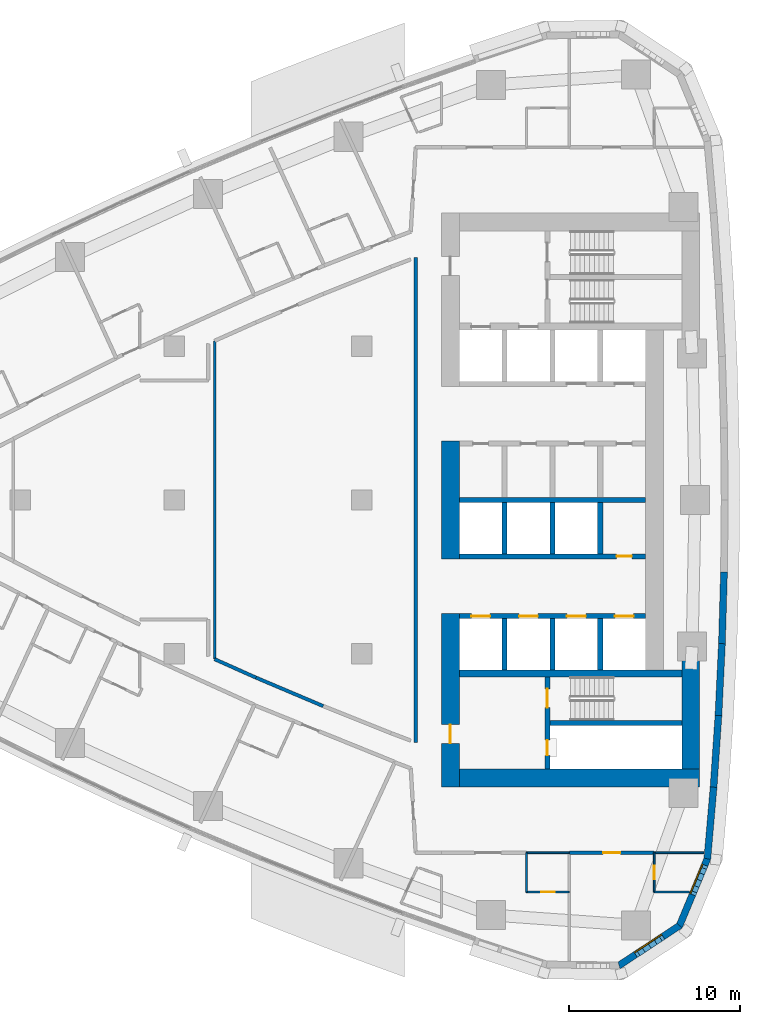
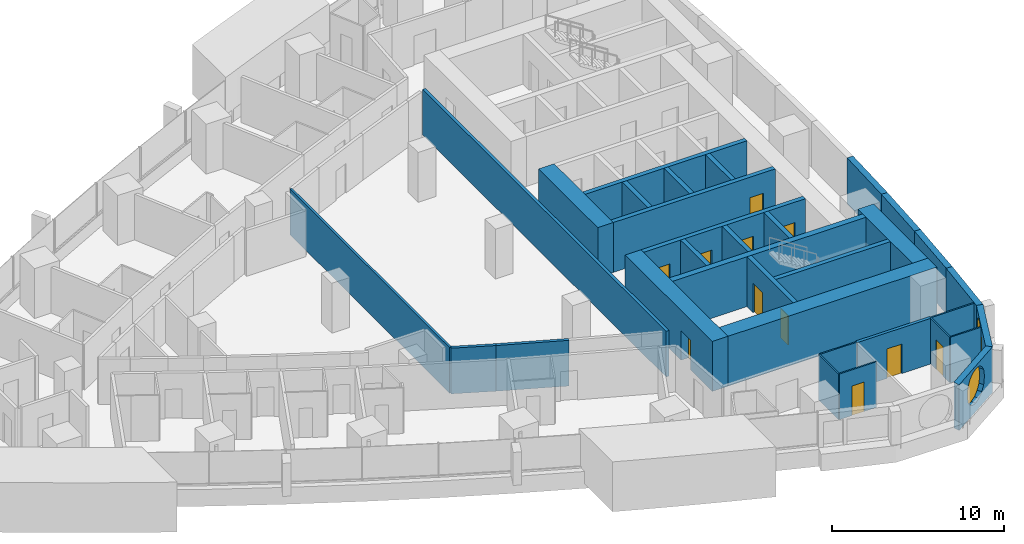
# One storey, part 10 of 17: 33 walls, 11 doors, 2 windows, 13 openings.
"""IFC4 building model written with IfcOpenShell, lengths in metres."""

import ifcopenshell
import ifcopenshell.guid

model = None  # the IFC model being written
_history = None  # IfcOwnerHistory: only IFC2X3 demands one
_inside = {}  # id of a spatial element -> (the spatial element, [elements in it])
_under = {}  # id of a project, library or spatial element -> (it, [spatial elements below it])
_declared = {}  # id of a project -> (the project, [libraries it declares])
_typed = {}  # id of a type object -> (the type object, [elements of that type])
_made_of = {}  # id of a material, layer set ... -> (it, [elements and type objects made of it])


def new_model(schema):
    """Start an empty IFC model of exactly this schema.

    Asked for "IFC4X3", IfcOpenShell would pick the latest addendum, in which some entities
    have other attributes; the version numbers below select the first issue.
    IFC2X3 requires an IfcOwnerHistory on every rooted entity: one is made here for all.
    """
    global model, _history
    if schema == "IFC4X3":
        model = ifcopenshell.file(schema_version=(4, 3, 0, 0))
    else:
        model = ifcopenshell.file(schema=schema)
    _inside.clear()
    _under.clear()
    _declared.clear()
    _typed.clear()
    _made_of.clear()
    _history = None
    if model.schema == "IFC2X3":
        org = make("IfcOrganization", Name="unknown")
        user = make(
            "IfcPersonAndOrganization",
            ThePerson=make("IfcPerson", FamilyName="unknown"),
            TheOrganization=org,
        )
        app = make(
            "IfcApplication",
            ApplicationDeveloper=org,
            Version="unknown",
            ApplicationFullName="unknown",
            ApplicationIdentifier="unknown",
        )
        _history = make(
            "IfcOwnerHistory",
            OwningUser=user,
            OwningApplication=app,
            ChangeAction="ADDED",
            CreationDate=0,
        )
    return model


def make(cls, **values):
    """One entity of the class cls with the attributes given. An attribute that is None is left unset."""
    return model.create_entity(
        cls, **{name: value for name, value in values.items() if value is not None}
    )


def rooted(cls, **values):
    """An entity with a GlobalId (a new one), such as an element, a storey or a relation."""
    return make(cls, GlobalId=ifcopenshell.guid.new(), OwnerHistory=_history, **values)


def si_unit(unit_type, name, prefix=None):
    """IfcSIUnit, for example si_unit("LENGTHUNIT", "METRE", prefix="MILLI")."""
    return make("IfcSIUnit", UnitType=unit_type, Prefix=prefix, Name=name)


def assignment(units):
    """IfcUnitAssignment: the units of a project."""
    return None if units is None else make("IfcUnitAssignment", Units=units)


def point(xyz):
    """IfcCartesianPoint."""
    return None if xyz is None else make("IfcCartesianPoint", Coordinates=xyz)


def direction(xyz):
    """IfcDirection."""
    return None if xyz is None else make("IfcDirection", DirectionRatios=xyz)


def frame(location, z_axis=None, x_axis=None):
    """IfcAxis2Placement3D, a coordinate frame: its origin and axes. An axis left out is left unset."""
    return make(
        "IfcAxis2Placement3D",
        Location=point(location),
        Axis=direction(z_axis),
        RefDirection=direction(x_axis),
    )


def frame_2d(location, x_axis=None):
    """IfcAxis2Placement2D, a coordinate frame in the plane: its origin and x axis."""
    return make(
        "IfcAxis2Placement2D", Location=point(location), RefDirection=direction(x_axis)
    )


def origin():
    """The frame at (0, 0, 0) with its axes left unset."""
    return frame((0.0, 0.0, 0.0))


def place(relative_to, where):
    """IfcLocalPlacement: puts the frame where relative to a parent placement (None: the world)."""
    return make(
        "IfcLocalPlacement", PlacementRelTo=relative_to, RelativePlacement=where
    )


def context(
    kind, dimensions, precision=None, world=None, true_north=None, identifier=None
):
    """IfcGeometricRepresentationContext, for example the 3D "Model" context."""
    return make(
        "IfcGeometricRepresentationContext",
        ContextIdentifier=identifier,
        ContextType=kind,
        CoordinateSpaceDimension=dimensions,
        Precision=precision,
        WorldCoordinateSystem=world,
        TrueNorth=true_north,
    )


def subcontext(parent, identifier, kind, view, scale=None):
    """IfcGeometricRepresentationSubContext, for example "Body" below "Model"."""
    return make(
        "IfcGeometricRepresentationSubContext",
        ContextIdentifier=identifier,
        ContextType=kind,
        ParentContext=parent,
        TargetScale=scale,
        TargetView=view,
    )


def project(units=None, contexts=None):
    """IfcProject with its units and contexts."""
    return rooted(
        "IfcProject",
        Name="project",
        RepresentationContexts=contexts,
        UnitsInContext=assignment(units),
    )


def spatial(cls, under=None, at=None, **own):
    """A site, building, storey or space (cls), placed at a placement, below another one or the project."""
    s = rooted(cls, ObjectPlacement=at, **own)
    if under is not None:
        _under.setdefault(under.id(), (under, []))[1].append(s)
    return s


def polyline(points):
    """IfcPolyline through the points."""
    return make("IfcPolyline", Points=[point(p) for p in points])


def profile(cls, at=None, kind="AREA", **sizes):
    """A parametric profile (cls). Its sizes go by their IFC names, for example OverallWidth=200.0."""
    return make(cls, ProfileType=kind, Position=at, **sizes)


def rectangle(**sizes):
    """IfcRectangleProfileDef."""
    return profile("IfcRectangleProfileDef", **sizes)


def outline(outer, holes=None, kind="AREA"):
    """IfcArbitraryClosedProfileDef: a profile drawn as a closed curve; with holes, ...WithVoids."""
    if holes is None:
        return make("IfcArbitraryClosedProfileDef", ProfileType=kind, OuterCurve=outer)
    return make(
        "IfcArbitraryProfileDefWithVoids",
        ProfileType=kind,
        OuterCurve=outer,
        InnerCurves=holes,
    )


def extrude(swept, where, along, depth):
    """IfcExtrudedAreaSolid: the profile swept, set in the frame where, extruded along a direction by depth."""
    return make(
        "IfcExtrudedAreaSolid",
        SweptArea=swept,
        Position=where,
        ExtrudedDirection=direction(along),
        Depth=depth,
    )


def shape(context_of_items, identifier, shape_type, items):
    """IfcShapeRepresentation: the items that make up one representation, for example the "Body"."""
    return make(
        "IfcShapeRepresentation",
        ContextOfItems=context_of_items,
        RepresentationIdentifier=identifier,
        RepresentationType=shape_type,
        Items=items,
    )


def material(Name=None, Category=None):
    """IfcMaterial."""
    return make("IfcMaterial", Name=Name, Category=Category)


def layer(
    of_material, thickness, ventilated=None, Name=None, Category=None, Priority=None
):
    """IfcMaterialLayer: one layer of a wall or slab, of a material (None: an air gap)."""
    return make(
        "IfcMaterialLayer",
        Material=of_material,
        LayerThickness=thickness,
        IsVentilated=ventilated,
        Name=Name,
        Category=Category,
        Priority=Priority,
    )


def layer_set(layers, Name=None):
    """IfcMaterialLayerSet."""
    return make("IfcMaterialLayerSet", MaterialLayers=layers, LayerSetName=Name)


def made_of(thing, what):
    """Note that an element or type object is made of a material, layer set ...; save() writes the relation."""
    if what is not None:
        _made_of.setdefault(what.id(), (what, []))[1].append(thing)
    return thing


def type_object(cls, material=None, **own):
    """A type object (cls), such as IfcWallType, which elements share."""
    return made_of(rooted(cls, **own), material)


def element(
    cls,
    number,
    at=None,
    inside=None,
    cuts=None,
    type_object=None,
    material=None,
    context=None,
    identifier="Body",
    shape_type=None,
    held_by="IfcProductDefinitionShape",
    body=None,
    shapes=None,
    **own,
):
    """One element of the class cls, such as IfcWall. Its Tag is "e" and its number.

    at: its placement. inside: the storey or other place that contains it. cuts: it is an
    opening in that element (IfcRelVoidsElement). A single representation is given by context,
    identifier, shape_type and body (its items); several are given by shapes. held_by: the class
    of the entity that holds the representations. save() writes the other relations.
    """
    e = rooted(cls, Tag="e%d" % number, ObjectPlacement=at, **own)
    if body is not None:
        shapes = [shape(context, identifier, shape_type, body)]
    if shapes is not None:
        e.Representation = make(held_by, Representations=shapes)
    if inside is not None:
        _inside.setdefault(inside.id(), (inside, []))[1].append(e)
    if cuts is not None:
        rooted(
            "IfcRelVoidsElement", RelatingBuildingElement=cuts, RelatedOpeningElement=e
        )
    if type_object is not None:
        _typed.setdefault(type_object.id(), (type_object, []))[1].append(e)
    return made_of(e, material)


def fill(opening, filler):
    """IfcRelFillsElement: the door or window that sits in an opening."""
    return rooted(
        "IfcRelFillsElement",
        RelatingOpeningElement=opening,
        RelatedBuildingElement=filler,
    )


def aggregate(whole, parts):
    """IfcRelAggregates: a whole, such as a stair, and the parts it consists of."""
    return rooted("IfcRelAggregates", RelatingObject=whole, RelatedObjects=parts)


def save(model, path):
    """Write the relations noted so far, then the file.

    IfcRelAggregates (storeys below a building ...), IfcRelContainedInSpatialStructure (elements
    in a storey), IfcRelDefinesByType, IfcRelAssociatesMaterial and IfcRelDeclares: one each for
    every whole, place, type object, material and project.
    """
    for whole, parts in _under.values():
        aggregate(whole, parts)
    for where, things in _inside.values():
        rooted(
            "IfcRelContainedInSpatialStructure",
            RelatedElements=things,
            RelatingStructure=where,
        )
    for kind, things in _typed.values():
        rooted("IfcRelDefinesByType", RelatedObjects=things, RelatingType=kind)
    for what, things in _made_of.values():
        rooted("IfcRelAssociatesMaterial", RelatedObjects=things, RelatingMaterial=what)
    for by, libraries in _declared.values():
        rooted("IfcRelDeclares", RelatingContext=by, RelatedDefinitions=libraries)
    model.write(path)


model = new_model("IFC4")

# Units and contexts
model_context = context("Model", 3, precision=1e-05, world=origin(), true_north=direction((0.0, 1.0)))
body_context = subcontext(model_context, "Body", "Model", "MODEL_VIEW")
ifc_project = project(units=[si_unit("LENGTHUNIT", "METRE"), si_unit("AREAUNIT", "SQUARE_METRE"), si_unit("VOLUMEUNIT", "CUBIC_METRE"), si_unit("PLANEANGLEUNIT", "RADIAN"), si_unit("MASSUNIT", "GRAM", prefix="KILO")], contexts=[model_context])

# Site, building, storey
site_placement = place(None, origin())
site = spatial("IfcSite", under=ifc_project, at=site_placement, CompositionType="ELEMENT")
building_placement = place(site_placement, origin())
building = spatial("IfcBuilding", under=site, at=building_placement, Name="Ostrand Prow Hotel Tower", CompositionType="ELEMENT")
storey_placement = place(building_placement, frame((0.0, 0.0, 95.550048828125)))
storey = spatial("IfcBuildingStorey", under=building, at=storey_placement, Name="L22", CompositionType="ELEMENT", Elevation=95.550048828125)

# Wall
ifc_material_1 = material(Name="Concrete C80/95", Category="concrete")
ifc_layer_1 = layer(ifc_material_1, 1.050048828125)
ifc_layer_set_1 = layer_set([ifc_layer_1], Name="Concrete C80/95")
wall_type_1 = type_object("IfcWallType", Name="Core wall 1050 C80/95", PredefinedType="SHEAR", material=ifc_layer_set_1)
wall_1_placement = place(storey_placement, frame((50.175048828125, -3.449951171875, 0.0), z_axis=(0.0, 0.0, 1.0), x_axis=(0.0, 1.0, 0.0)))
element("IfcWall", 1, at=wall_1_placement, inside=storey, type_object=wall_type_1, Name="Core wall CW-W-C", PredefinedType="SHEAR", context=body_context, shape_type="SweptSolid", body=[
    extrude(rectangle(XDim=6.89990234375, YDim=1.050048828125, at=frame_2d((3.449951171875, 0.0))), origin(), (0.0, 0.0, 1.0), 3.550048828125),
])

# Wall, opening, door
wall_2_placement = place(storey_placement, frame((50.175048828125, -16.800048828125, 0.0), z_axis=(0.0, 0.0, 1.0), x_axis=(0.0, 1.0, 0.0)))
wall_2 = element("IfcWall", 2, at=wall_2_placement, inside=storey, type_object=wall_type_1, Name="Core wall CW-W-S", PredefinedType="SHEAR", context=body_context, shape_type="SweptSolid", body=[
    extrude(rectangle(XDim=10.150146484375, YDim=1.050048828125, at=frame_2d((5.0751953125, 0.0))), origin(), (0.0, 0.0, 1.0), 3.550048828125),
])
opening_1_placement = place(wall_2_placement, frame((2.550048828125, 0.0, 0.0)))
opening_1 = element("IfcOpeningElement", 3, at=opening_1_placement, cuts=wall_2, Name="Opening FD1", PredefinedType="OPENING", context=body_context, shape_type="SweptSolid", body=[
    extrude(rectangle(XDim=1.10009765625, YDim=2.10009765625, at=frame_2d((0.550048828125, 1.050048828125))), frame((0.0, 0.534912109375, 0.0), z_axis=(0.0, -1.0, 0.0), x_axis=(1.0, 0.0, 0.0)), (0.0, 0.0, 1.0), 1.070068359375),
])
ifc_material_2 = material(Name="Steel fire door", Category="steel")
door_type_1 = type_object("IfcDoorType", Name="Fire door 1100 EI120", OperationType="SINGLE_SWING_RIGHT", PredefinedType="DOOR", material=ifc_material_2)
door_1_placement = place(opening_1_placement, origin())
door_1 = element("IfcDoor", 4, at=door_1_placement, inside=storey, type_object=door_type_1, Name="FIRE DOOR", OperationType="SINGLE_SWING_RIGHT", OverallHeight=2.10009765625, OverallWidth=1.10009765625, PredefinedType="DOOR", context=body_context, shape_type="SweptSolid", body=[
    extrude(rectangle(XDim=1.10009765625, YDim=2.10009765625, at=frame_2d((0.550048828125, 1.050048828125))), frame((0.0, 0.02490234375, 0.0), z_axis=(0.0, -1.0, 0.0), x_axis=(1.0, 0.0, 0.0)), (0.0, 0.0, 1.0), 0.050048828125),
])
fill(opening_1, door_1)

# Walls
wall_3_placement = place(storey_placement, frame((50.699951171875, -16.27490234375, 0.0), z_axis=(0.0, 0.0, 1.0), x_axis=(1.0, 0.0, 0.0)))
element("IfcWall", 5, at=wall_3_placement, inside=storey, type_object=wall_type_1, Name="Core wall CW-S", PredefinedType="SHEAR", context=body_context, shape_type="SweptSolid", body=[
    extrude(rectangle(XDim=14.070068359375, YDim=1.050048828125, at=frame_2d((7.03515625, 0.0))), origin(), (0.0, 0.0, 1.0), 3.550048828125),
])
wall_4_placement = place(storey_placement, frame((64.2451171875, -15.75, 0.0), z_axis=(0.0, 0.0, 1.0), x_axis=(0.0, 1.0, 0.0)))
element("IfcWall", 6, at=wall_4_placement, inside=storey, type_object=wall_type_1, Name="Core wall CW-E-S", PredefinedType="SHEAR", context=body_context, shape_type="SweptSolid", body=[
    extrude(rectangle(XDim=6.361328125, YDim=1.050048828125, at=frame_2d((3.1806640625, 0.0))), origin(), (0.0, 0.0, 1.0), 3.550048828125),
])
ifc_material_3 = material(Name="Concrete C80/95", Category="concrete")
ifc_layer_2 = layer(ifc_material_3, 0.300048828125)
ifc_layer_set_2 = layer_set([ifc_layer_2], Name="Concrete C80/95")
wall_type_2 = type_object("IfcWallType", Name="Core wall 300 C80/95", PredefinedType="SHEAR", material=ifc_layer_set_2)
wall_5_placement = place(storey_placement, frame((50.699951171875, 0.0, 0.0), z_axis=(0.0, 0.0, 1.0), x_axis=(1.0, 0.0, 0.0)))
element("IfcWall", 7, at=wall_5_placement, inside=storey, type_object=wall_type_2, Name="Core wall PW-C", PredefinedType="SHEAR", context=body_context, shape_type="SweptSolid", body=[
    extrude(rectangle(XDim=10.900146484375, YDim=0.300048828125, at=frame_2d((5.4501953125, 0.0))), origin(), (0.0, 0.0, 1.0), 3.550048828125),
])

# Wall, opening, door
wall_6_placement = place(storey_placement, frame((50.699951171875, -3.300048828125, 0.0), z_axis=(0.0, 0.0, 1.0), x_axis=(1.0, 0.0, 0.0)))
wall_6 = element("IfcWall", 8, at=wall_6_placement, inside=storey, type_object=wall_type_2, Name="Core wall PW-L1-S", PredefinedType="SHEAR", context=body_context, shape_type="SweptSolid", body=[
    extrude(rectangle(XDim=10.900146484375, YDim=0.300048828125, at=frame_2d((5.4501953125, 0.0))), origin(), (0.0, 0.0, 1.0), 3.550048828125),
])
opening_2_placement = place(wall_6_placement, frame((9.199951171875, 0.0, 0.0)))
opening_2 = element("IfcOpeningElement", 9, at=opening_2_placement, cuts=wall_6, Name="Opening FD2", PredefinedType="OPENING", context=body_context, shape_type="SweptSolid", body=[
    extrude(rectangle(XDim=0.89990234375, YDim=2.10009765625, at=frame_2d((0.449951171875, 1.050048828125))), frame((0.0, 0.159912109375, 0.0), z_axis=(0.0, -1.0, 0.0), x_axis=(1.0, 0.0, 0.0)), (0.0, 0.0, 1.0), 0.320068359375),
])
ifc_material_4 = material(Name="Steel fire door", Category="steel")
door_type_2 = type_object("IfcDoorType", Name="Fire door 900 EI120", OperationType="SINGLE_SWING_LEFT", PredefinedType="DOOR", material=ifc_material_4)
door_2_placement = place(opening_2_placement, origin())
door_2 = element("IfcDoor", 10, at=door_2_placement, inside=storey, type_object=door_type_2, Name="DOOR", OperationType="SINGLE_SWING_LEFT", OverallHeight=2.10009765625, OverallWidth=0.89990234375, PredefinedType="DOOR", context=body_context, shape_type="SweptSolid", body=[
    extrude(rectangle(XDim=0.89990234375, YDim=2.10009765625, at=frame_2d((0.449951171875, 1.050048828125))), frame((0.0, 0.02490234375, 0.0), z_axis=(0.0, -1.0, 0.0), x_axis=(1.0, 0.0, 0.0)), (0.0, 0.0, 1.0), 0.050048828125),
])
fill(opening_2, door_2)

# Wall, openings, doors
wall_7_placement = place(storey_placement, frame((50.699951171875, -6.800048828125, 0.0), z_axis=(0.0, 0.0, 1.0), x_axis=(1.0, 0.0, 0.0)))
wall_7 = element("IfcWall", 11, at=wall_7_placement, inside=storey, type_object=wall_type_2, Name="Core wall PW-L2-S", PredefinedType="SHEAR", context=body_context, shape_type="SweptSolid", body=[
    extrude(rectangle(XDim=10.900146484375, YDim=0.300048828125, at=frame_2d((5.4501953125, 0.0))), origin(), (0.0, 0.0, 1.0), 3.550048828125),
])
opening_3_placement = place(wall_7_placement, frame((0.699951171875, 0.0, 0.0)))
opening_3 = element("IfcOpeningElement", 12, at=opening_3_placement, cuts=wall_7, Name="Opening LD", PredefinedType="OPENING", context=body_context, shape_type="SweptSolid", body=[
    extrude(rectangle(XDim=1.10009765625, YDim=2.10009765625, at=frame_2d((0.550048828125, 1.050048828125))), frame((0.0, 0.159912109375, 0.0), z_axis=(0.0, -1.0, 0.0), x_axis=(1.0, 0.0, 0.0)), (0.0, 0.0, 1.0), 0.320068359375),
])
opening_4_placement = place(wall_7_placement, frame((3.5, 0.0, 0.0)))
opening_4 = element("IfcOpeningElement", 13, at=opening_4_placement, cuts=wall_7, Name="Opening LD", PredefinedType="OPENING", context=body_context, shape_type="SweptSolid", body=[
    extrude(rectangle(XDim=1.10009765625, YDim=2.10009765625, at=frame_2d((0.550048828125, 1.050048828125))), frame((0.0, 0.159912109375, 0.0), z_axis=(0.0, -1.0, 0.0), x_axis=(1.0, 0.0, 0.0)), (0.0, 0.0, 1.0), 0.320068359375),
])
opening_5_placement = place(wall_7_placement, frame((6.300048828125, 0.0, 0.0)))
opening_5 = element("IfcOpeningElement", 14, at=opening_5_placement, cuts=wall_7, Name="Opening LD", PredefinedType="OPENING", context=body_context, shape_type="SweptSolid", body=[
    extrude(rectangle(XDim=1.10009765625, YDim=2.10009765625, at=frame_2d((0.550048828125, 1.050048828125))), frame((0.0, 0.159912109375, 0.0), z_axis=(0.0, -1.0, 0.0), x_axis=(1.0, 0.0, 0.0)), (0.0, 0.0, 1.0), 0.320068359375),
])
opening_6_placement = place(wall_7_placement, frame((9.10009765625, 0.0, 0.0)))
opening_6 = element("IfcOpeningElement", 15, at=opening_6_placement, cuts=wall_7, Name="Opening LD", PredefinedType="OPENING", context=body_context, shape_type="SweptSolid", body=[
    extrude(rectangle(XDim=1.10009765625, YDim=2.10009765625, at=frame_2d((0.550048828125, 1.050048828125))), frame((0.0, 0.159912109375, 0.0), z_axis=(0.0, -1.0, 0.0), x_axis=(1.0, 0.0, 0.0)), (0.0, 0.0, 1.0), 0.320068359375),
])
ifc_material_5 = material(Name="Stainless steel door", Category="steel")
door_type_3 = type_object("IfcDoorType", Name="Lift landing door 1100", OperationType="DOUBLE_DOOR_SLIDING", PredefinedType="DOOR", material=ifc_material_5)
door_3_placement = place(opening_3_placement, origin())
door_3 = element("IfcDoor", 16, at=door_3_placement, inside=storey, type_object=door_type_3, Name="LIFT LANDING DOOR", OperationType="DOUBLE_DOOR_SLIDING", OverallHeight=2.10009765625, OverallWidth=1.10009765625, PredefinedType="DOOR", context=body_context, shape_type="SweptSolid", body=[
    extrude(rectangle(XDim=1.10009765625, YDim=2.10009765625, at=frame_2d((0.550048828125, 1.050048828125))), frame((0.0, 0.02490234375, 0.0), z_axis=(0.0, -1.0, 0.0), x_axis=(1.0, 0.0, 0.0)), (0.0, 0.0, 1.0), 0.050048828125),
])
fill(opening_3, door_3)
door_4_placement = place(opening_4_placement, origin())
door_4 = element("IfcDoor", 17, at=door_4_placement, inside=storey, type_object=door_type_3, Name="LIFT LANDING DOOR", OperationType="DOUBLE_DOOR_SLIDING", OverallHeight=2.10009765625, OverallWidth=1.10009765625, PredefinedType="DOOR", context=body_context, shape_type="SweptSolid", body=[
    extrude(rectangle(XDim=1.10009765625, YDim=2.10009765625, at=frame_2d((0.550048828125, 1.050048828125))), frame((0.0, 0.02490234375, 0.0), z_axis=(0.0, -1.0, 0.0), x_axis=(1.0, 0.0, 0.0)), (0.0, 0.0, 1.0), 0.050048828125),
])
fill(opening_4, door_4)
door_5_placement = place(opening_5_placement, origin())
door_5 = element("IfcDoor", 18, at=door_5_placement, inside=storey, type_object=door_type_3, Name="LIFT LANDING DOOR", OperationType="DOUBLE_DOOR_SLIDING", OverallHeight=2.10009765625, OverallWidth=1.10009765625, PredefinedType="DOOR", context=body_context, shape_type="SweptSolid", body=[
    extrude(rectangle(XDim=1.10009765625, YDim=2.10009765625, at=frame_2d((0.550048828125, 1.050048828125))), frame((0.0, 0.02490234375, 0.0), z_axis=(0.0, -1.0, 0.0), x_axis=(1.0, 0.0, 0.0)), (0.0, 0.0, 1.0), 0.050048828125),
])
fill(opening_5, door_5)
door_6_placement = place(opening_6_placement, origin())
door_6 = element("IfcDoor", 19, at=door_6_placement, inside=storey, type_object=door_type_3, Name="LIFT LANDING DOOR", OperationType="DOUBLE_DOOR_SLIDING", OverallHeight=2.10009765625, OverallWidth=1.10009765625, PredefinedType="DOOR", context=body_context, shape_type="SweptSolid", body=[
    extrude(rectangle(XDim=1.10009765625, YDim=2.10009765625, at=frame_2d((0.550048828125, 1.050048828125))), frame((0.0, 0.02490234375, 0.0), z_axis=(0.0, -1.0, 0.0), x_axis=(1.0, 0.0, 0.0)), (0.0, 0.0, 1.0), 0.050048828125),
])
fill(opening_6, door_6)

# Walls
for number, where, z_axis, x_axis, name in (
    (20, (53.35009765625, -3.14990234375, 0.0), (0.0, 0.0, 1.0), (0.0, 1.0, 0.0), "Core wall PW-R1-SB"),
    (21, (53.35009765625, -9.949951171875, 0.0), (0.0, 0.0, 1.0), (0.0, 1.0, 0.0), "Core wall PW-R1-SA"),
    (22, (56.14990234375, -3.14990234375, 0.0), (0.0, 0.0, 1.0), (0.0, 1.0, 0.0), "Core wall PW-R2-SB"),
    (23, (56.14990234375, -9.949951171875, 0.0), (0.0, 0.0, 1.0), (0.0, 1.0, 0.0), "Core wall PW-R2-SA"),
    (24, (58.949951171875, -3.14990234375, 0.0), (0.0, 0.0, 1.0), (0.0, 1.0, 0.0), "Core wall PW-R3-SB"),
    (25, (58.949951171875, -9.949951171875, 0.0), (0.0, 0.0, 1.0), (0.0, 1.0, 0.0), "Core wall PW-R3-SA"),
):
    element("IfcWall", number, at=place(storey_placement, frame(where, z_axis=z_axis, x_axis=x_axis)), inside=storey, type_object=wall_type_2, Name=name, PredefinedType="SHEAR", context=body_context, shape_type="SweptSolid", body=[
        extrude(rectangle(XDim=3.0, YDim=0.300048828125, at=frame_2d((1.5, 0.0))), origin(), (0.0, 0.0, 1.0), 3.550048828125),
    ])

# Wall, openings, doors
wall_8_placement = place(storey_placement, frame((55.85009765625, -15.75, 0.0), z_axis=(0.0, 0.0, 1.0), x_axis=(0.0, 1.0, 0.0)))
wall_8 = element("IfcWall", 26, at=wall_8_placement, inside=storey, type_object=wall_type_2, Name="Core wall PW-VS", PredefinedType="SHEAR", context=body_context, shape_type="SweptSolid", body=[
    extrude(rectangle(XDim=5.39990234375, YDim=0.300048828125, at=frame_2d((2.699951171875, 0.0))), origin(), (0.0, 0.0, 1.0), 3.550048828125),
])
opening_7_placement = place(wall_8_placement, frame((3.60009765625, 0.0, 0.0)))
opening_7 = element("IfcOpeningElement", 27, at=opening_7_placement, cuts=wall_8, Name="Opening FD1", PredefinedType="OPENING", context=body_context, shape_type="SweptSolid", body=[
    extrude(rectangle(XDim=1.10009765625, YDim=2.10009765625, at=frame_2d((0.550048828125, 1.050048828125))), frame((0.0, 0.159912109375, 0.0), z_axis=(0.0, -1.0, 0.0), x_axis=(1.0, 0.0, 0.0)), (0.0, 0.0, 1.0), 0.320068359375),
])
opening_8_placement = place(wall_8_placement, frame((0.800048828125, 0.0, 0.0)))
opening_8 = element("IfcOpeningElement", 28, at=opening_8_placement, cuts=wall_8, Name="Opening FD2", PredefinedType="OPENING", context=body_context, shape_type="SweptSolid", body=[
    extrude(rectangle(XDim=0.89990234375, YDim=2.10009765625, at=frame_2d((0.449951171875, 1.050048828125))), frame((0.0, 0.159912109375, 0.0), z_axis=(0.0, -1.0, 0.0), x_axis=(1.0, 0.0, 0.0)), (0.0, 0.0, 1.0), 0.320068359375),
])
door_7_placement = place(opening_7_placement, origin())
door_7 = element("IfcDoor", 29, at=door_7_placement, inside=storey, type_object=door_type_1, Name="FIRE DOOR", OperationType="SINGLE_SWING_RIGHT", OverallHeight=2.10009765625, OverallWidth=1.10009765625, PredefinedType="DOOR", context=body_context, shape_type="SweptSolid", body=[
    extrude(rectangle(XDim=1.10009765625, YDim=2.10009765625, at=frame_2d((0.550048828125, 1.050048828125))), frame((0.0, 0.02490234375, 0.0), z_axis=(0.0, -1.0, 0.0), x_axis=(1.0, 0.0, 0.0)), (0.0, 0.0, 1.0), 0.050048828125),
])
fill(opening_7, door_7)
door_8_placement = place(opening_8_placement, origin())
door_8 = element("IfcDoor", 30, at=door_8_placement, inside=storey, type_object=door_type_2, Name="FIRE DOOR", OperationType="SINGLE_SWING_LEFT", OverallHeight=2.10009765625, OverallWidth=0.89990234375, PredefinedType="DOOR", context=body_context, shape_type="SweptSolid", body=[
    extrude(rectangle(XDim=0.89990234375, YDim=2.10009765625, at=frame_2d((0.449951171875, 1.050048828125))), frame((0.0, 0.02490234375, 0.0), z_axis=(0.0, -1.0, 0.0), x_axis=(1.0, 0.0, 0.0)), (0.0, 0.0, 1.0), 0.050048828125),
])
fill(opening_8, door_8)

# Walls
wall_9_placement = place(storey_placement, frame((56.0, -13.050048828125, 0.0), z_axis=(0.0, 0.0, 1.0), x_axis=(1.0, 0.0, 0.0)))
element("IfcWall", 31, at=wall_9_placement, inside=storey, type_object=wall_type_2, Name="Core wall PW-ST2R", PredefinedType="SHEAR", context=body_context, shape_type="SweptSolid", body=[
    extrude(rectangle(XDim=7.719970703125, YDim=0.300048828125, at=frame_2d((3.85986328125, 0.0))), origin(), (0.0, 0.0, 1.0), 3.550048828125),
])
ifc_material_6 = material(Name="Concrete C80/95", Category="concrete")
ifc_layer_3 = layer(ifc_material_6, 0.39990234375)
ifc_layer_set_3 = layer_set([ifc_layer_3], Name="Concrete C80/95")
wall_type_3 = type_object("IfcWallType", Name="Core wall 400 C80/95", PredefinedType="SHEAR", material=ifc_layer_set_3)
wall_10_placement = place(storey_placement, frame((50.699951171875, -10.14990234375, 0.0), z_axis=(0.0, 0.0, 1.0), x_axis=(1.0, 0.0, 0.0)))
element("IfcWall", 32, at=wall_10_placement, inside=storey, type_object=wall_type_3, Name="Core wall PW-BS", PredefinedType="SHEAR", context=body_context, shape_type="SweptSolid", body=[
    extrude(rectangle(XDim=13.02001953125, YDim=0.39990234375, at=frame_2d((6.510009765625, 0.0))), origin(), (0.0, 0.0, 1.0), 3.550048828125),
])
ifc_material_7 = material(Name="Plasterboard partition")
ifc_layer_4 = layer(ifc_material_7, 0.10009765625)
ifc_layer_set_4 = layer_set([ifc_layer_4], Name="Plasterboard partition")
wall_type_4 = type_object("IfcWallType", Name="Partition 100 bathroom wall", PredefinedType="PARTITIONING", material=ifc_layer_set_4)
wall_11_placement = place(storey_placement, frame((54.630615234375, -22.949951171875, 0.0), z_axis=(0.0, 0.0, 1.0), x_axis=(0.0, 1.0, 0.0)))
element("IfcWall", 33, at=wall_11_placement, inside=storey, type_object=wall_type_4, Name="BATHROOM WALL", PredefinedType="PARTITIONING", context=body_context, shape_type="SweptSolid", body=[
    extrude(rectangle(XDim=2.300048828125, YDim=0.10009765625, at=frame_2d((1.14990234375, 0.0))), origin(), (0.0, 0.0, 1.0), 3.25),
])

# Wall, opening, door
wall_12_placement = place(storey_placement, frame((57.130615234375, -22.949951171875, 0.0), z_axis=(0.0, 0.0, 1.0), x_axis=(-1.0, 0.0, 0.0)))
wall_12 = element("IfcWall", 34, at=wall_12_placement, inside=storey, type_object=wall_type_4, Name="BATHROOM WALL", PredefinedType="PARTITIONING", context=body_context, shape_type="SweptSolid", body=[
    extrude(rectangle(XDim=2.5, YDim=0.10009765625, at=frame_2d((1.25, 0.0))), origin(), (0.0, 0.0, 1.0), 3.25),
])
opening_9_placement = place(wall_12_placement, frame((0.85009765625, 0.0, 0.0)))
opening_9 = element("IfcOpeningElement", 35, at=opening_9_placement, cuts=wall_12, Name="Opening D2", PredefinedType="OPENING", context=body_context, shape_type="SweptSolid", body=[
    extrude(rectangle(XDim=0.800048828125, YDim=2.10009765625, at=frame_2d((0.39990234375, 1.050048828125))), frame((0.0, 0.06005859375, 0.0), z_axis=(0.0, -1.0, 0.0), x_axis=(1.0, 0.0, 0.0)), (0.0, 0.0, 1.0), 0.1201171875),
])
ifc_material_8 = material(Name="Timber door leaf", Category="wood")
door_type_4 = type_object("IfcDoorType", Name="Bathroom door 800", OperationType="SINGLE_SWING_LEFT", PredefinedType="DOOR", material=ifc_material_8)
door_9_placement = place(opening_9_placement, origin())
door_9 = element("IfcDoor", 36, at=door_9_placement, inside=storey, type_object=door_type_4, Name="DOOR", OperationType="SINGLE_SWING_LEFT", OverallHeight=2.10009765625, OverallWidth=0.800048828125, PredefinedType="DOOR", context=body_context, shape_type="SweptSolid", body=[
    extrude(rectangle(XDim=0.800048828125, YDim=2.10009765625, at=frame_2d((0.39990234375, 1.050048828125))), frame((0.0, 0.02490234375, 0.0), z_axis=(0.0, -1.0, 0.0), x_axis=(1.0, 0.0, 0.0)), (0.0, 0.0, 1.0), 0.050048828125),
])
fill(opening_9, door_9)

# Wall
wall_13_placement = place(storey_placement, frame((64.160400390625, -22.949951171875, 0.0), z_axis=(0.0, 0.0, 1.0), x_axis=(-1.0, 0.0, 0.0)))
element("IfcWall", 37, at=wall_13_placement, inside=storey, type_object=wall_type_4, Name="BATHROOM WALL", PredefinedType="PARTITIONING", context=body_context, shape_type="SweptSolid", body=[
    extrude(rectangle(XDim=2.04931640625, YDim=0.10009765625, at=frame_2d((1.024658203125, 0.0))), origin(), (0.0, 0.0, 1.0), 3.25),
])

# Wall, opening, door
wall_14_placement = place(storey_placement, frame((62.111083984375, -22.949951171875, 0.0), z_axis=(0.0, 0.0, 1.0), x_axis=(0.0, 1.0, 0.0)))
wall_14 = element("IfcWall", 38, at=wall_14_placement, inside=storey, type_object=wall_type_4, Name="BATHROOM WALL", PredefinedType="PARTITIONING", context=body_context, shape_type="SweptSolid", body=[
    extrude(rectangle(XDim=2.300048828125, YDim=0.10009765625, at=frame_2d((1.14990234375, 0.0))), origin(), (0.0, 0.0, 1.0), 3.25),
])
opening_10_placement = place(wall_14_placement, frame((0.75, 0.0, 0.0)))
opening_10 = element("IfcOpeningElement", 39, at=opening_10_placement, cuts=wall_14, Name="Opening D2", PredefinedType="OPENING", context=body_context, shape_type="SweptSolid", body=[
    extrude(rectangle(XDim=0.800048828125, YDim=2.10009765625, at=frame_2d((0.39990234375, 1.050048828125))), frame((0.0, 0.06005859375, 0.0), z_axis=(0.0, -1.0, 0.0), x_axis=(1.0, 0.0, 0.0)), (0.0, 0.0, 1.0), 0.1201171875),
])
door_10_placement = place(opening_10_placement, origin())
door_10 = element("IfcDoor", 40, at=door_10_placement, inside=storey, type_object=door_type_4, Name="DOOR", OperationType="SINGLE_SWING_LEFT", OverallHeight=2.10009765625, OverallWidth=0.800048828125, PredefinedType="DOOR", context=body_context, shape_type="SweptSolid", body=[
    extrude(rectangle(XDim=0.800048828125, YDim=2.10009765625, at=frame_2d((0.39990234375, 1.050048828125))), frame((0.0, 0.02490234375, 0.0), z_axis=(0.0, -1.0, 0.0), x_axis=(1.0, 0.0, 0.0)), (0.0, 0.0, 1.0), 0.050048828125),
])
fill(opening_10, door_10)

# Walls
wall_15_placement = place(storey_placement, frame((54.630615234375, -20.655029296875, 0.0), z_axis=(0.0, 0.0, 1.0), x_axis=(1.0, 0.0, 0.0)))
element("IfcWall", 41, at=wall_15_placement, inside=storey, type_object=wall_type_4, Name="BATHROOM WALL", PredefinedType="PARTITIONING", context=body_context, shape_type="SweptSolid", body=[
    extrude(rectangle(XDim=2.5, YDim=0.10009765625, at=frame_2d((1.25, 0.0))), origin(), (0.0, 0.0, 1.0), 3.25),
])
wall_16_placement = place(storey_placement, frame((62.111083984375, -20.655029296875, 0.0), z_axis=(0.0, 0.0, 1.0), x_axis=(1.0, 0.0, 0.0)))
element("IfcWall", 42, at=wall_16_placement, inside=storey, type_object=wall_type_4, Name="BATHROOM WALL", PredefinedType="PARTITIONING", context=body_context, shape_type="SweptSolid", body=[
    extrude(rectangle(XDim=2.90576171875, YDim=0.10009765625, at=frame_2d((1.452880859375, 0.0))), origin(), (0.0, 0.0, 1.0), 3.25),
])
ifc_material_9 = material(Name="Plasterboard partition")
ifc_layer_5 = layer(ifc_material_9, 0.14990234375)
ifc_layer_set_5 = layer_set([ifc_layer_5], Name="Plasterboard partition")
wall_type_5 = type_object("IfcWallType", Name="Partition 150 room partition", PredefinedType="PARTITIONING", material=ifc_layer_set_5)
wall_17_placement = place(storey_placement, frame((36.373779296875, -9.31689453125, 0.0), z_axis=(0.0, 0.0, 1.0), x_axis=(0.0, 1.0, 0.0)))
element("IfcWall", 43, at=wall_17_placement, inside=storey, type_object=wall_type_5, Name="ROOM PARTITION", PredefinedType="PARTITIONING", context=body_context, shape_type="SweptSolid", body=[
    extrude(rectangle(XDim=18.6337890625, YDim=0.14990234375, at=frame_2d((9.31689453125, 0.0))), origin(), (0.0, 0.0, 1.0), 3.25),
])
ifc_material_10 = material(Name="Plasterboard partition")
ifc_layer_6 = layer(ifc_material_10, 0.199951171875)
ifc_layer_set_6 = layer_set([ifc_layer_6], Name="Plasterboard partition")
wall_type_6 = type_object("IfcWallType", Name="Partition 200 corridor wall", PredefinedType="PARTITIONING", material=ifc_layer_set_6)
wall_18_placement = place(storey_placement, frame((42.727783203125, -12.0615234375, 0.0), z_axis=(0.0, 0.0, 1.0), x_axis=(-0.921037415532, 0.389474105929, 0.0)))
element("IfcWall", 44, at=wall_18_placement, inside=storey, type_object=wall_type_6, Name="CORRIDOR WALL", PredefinedType="PARTITIONING", context=body_context, shape_type="SweptSolid", body=[
    extrude(rectangle(XDim=4.273193359375, YDim=0.199951171875, at=frame_2d((2.13671875, 0.0))), origin(), (0.0, 0.0, 1.0), 3.25),
])
wall_19_placement = place(storey_placement, frame((38.7919921875, -10.397216796875, 0.0), z_axis=(0.0, 0.0, 1.0), x_axis=(-0.913030623494, 0.407891015544, 0.0)))
element("IfcWall", 45, at=wall_19_placement, inside=storey, type_object=wall_type_6, Name="CORRIDOR WALL", PredefinedType="PARTITIONING", context=body_context, shape_type="SweptSolid", body=[
    extrude(rectangle(XDim=2.6484375, YDim=0.199951171875, at=frame_2d((1.32421875, 0.0))), origin(), (0.0, 0.0, 1.0), 3.25),
])

# Wall, opening, door
wall_20_placement = place(storey_placement, frame((57.135498046875, -20.655029296875, 0.0), z_axis=(0.0, 0.0, 1.0), x_axis=(1.0, 0.0, 0.0)))
wall_20 = element("IfcWall", 46, at=wall_20_placement, inside=storey, type_object=wall_type_6, Name="CORRIDOR WALL", PredefinedType="PARTITIONING", context=body_context, shape_type="SweptSolid", body=[
    extrude(rectangle(XDim=4.970703125, YDim=0.199951171875, at=frame_2d((2.4853515625, 0.0))), origin(), (0.0, 0.0, 1.0), 3.25),
])
opening_11_placement = place(wall_20_placement, frame((1.9853515625, 0.0, 0.0)))
opening_11 = element("IfcOpeningElement", 47, at=opening_11_placement, cuts=wall_20, Name="Opening D1", PredefinedType="OPENING", context=body_context, shape_type="SweptSolid", body=[
    extrude(rectangle(XDim=1.0, YDim=2.10009765625, at=frame_2d((0.5, 1.050048828125))), frame((0.0, 0.10986328125, 0.0), z_axis=(0.0, -1.0, 0.0), x_axis=(1.0, 0.0, 0.0)), (0.0, 0.0, 1.0), 0.219970703125),
])
ifc_material_11 = material(Name="Timber door leaf", Category="wood")
door_type_5 = type_object("IfcDoorType", Name="Guest room door 1000", OperationType="SINGLE_SWING_LEFT", PredefinedType="DOOR", material=ifc_material_11)
door_11_placement = place(opening_11_placement, origin())
door_11 = element("IfcDoor", 48, at=door_11_placement, inside=storey, type_object=door_type_5, Name="DOOR", OperationType="SINGLE_SWING_LEFT", OverallHeight=2.10009765625, OverallWidth=1.0, PredefinedType="DOOR", context=body_context, shape_type="SweptSolid", body=[
    extrude(rectangle(XDim=1.0, YDim=2.10009765625, at=frame_2d((0.5, 1.050048828125))), frame((0.0, 0.02490234375, 0.0), z_axis=(0.0, -1.0, 0.0), x_axis=(1.0, 0.0, 0.0)), (0.0, 0.0, 1.0), 0.050048828125),
])
fill(opening_11, door_11)

# Wall
wall_21_placement = place(storey_placement, frame((48.14990234375, 14.188720703125, 0.0), z_axis=(0.0, 0.0, 1.0), x_axis=(0.0, -1.0, 0.0)))
element("IfcWall", 49, at=wall_21_placement, inside=storey, type_object=wall_type_6, Name="CORRIDOR WALL", PredefinedType="PARTITIONING", context=body_context, shape_type="SweptSolid", body=[
    extrude(rectangle(XDim=28.37744140625, YDim=0.199951171875, at=frame_2d((14.188720703125, 0.0))), origin(), (0.0, 0.0, 1.0), 3.25),
])

# Wall, opening, window
ifc_material_12 = material(Name="Precast concrete C40/50", Category="concrete")
ifc_layer_7 = layer(ifc_material_12, 0.39990234375)
ifc_layer_set_7 = layer_set([ifc_layer_7], Name="Precast concrete C40/50")
wall_type_7 = type_object("IfcWallType", Name="Stone-faced precast wall 400 mm", PredefinedType="NOTDEFINED", material=ifc_layer_set_7)
wall_22_placement = place(storey_placement, frame((60.048583984375, -27.245849609375, 0.0), z_axis=(0.0, 0.0, 1.0), x_axis=(0.835340523653, 0.549732852887, 0.0)))
wall_22 = element("IfcWall", 50, at=wall_22_placement, inside=storey, type_object=wall_type_7, Name="Stone-faced wall back 3", PredefinedType="NOTDEFINED", context=body_context, shape_type="SweptSolid", body=[
    extrude(outline(polyline([(-0.061279296875, -0.199951171875), (4.30029296875, -0.199951171875), (4.177734375, 0.199951171875), (0.061279296875, 0.199951171875), (-0.061279296875, -0.199951171875)])), origin(), (0.0, 0.0, 1.0), 3.25),
])
opening_12_placement = place(wall_22_placement, frame((1.01953125, 0.0, 0.60009765625)))
opening_12 = element("IfcOpeningElement", 51, at=opening_12_placement, cuts=wall_22, Name="Opening WP1", PredefinedType="OPENING", context=body_context, shape_type="SweptSolid", body=[
    extrude(outline(polyline([(0.0, 1.35009765625), (0.083740234375, 1.77099609375), (0.322265625, 2.127685546875), (0.678955078125, 2.3662109375), (1.10009765625, 2.449951171875), (1.52099609375, 2.3662109375), (1.877685546875, 2.127685546875), (2.1162109375, 1.77099609375), (2.199951171875, 1.35009765625), (2.199951171875, 1.10009765625), (2.1162109375, 0.678955078125), (1.877685546875, 0.322265625), (1.52099609375, 0.083740234375), (1.10009765625, 0.0), (0.678955078125, 0.083740234375), (0.322265625, 0.322265625), (0.083740234375, 0.678955078125), (0.0, 1.099853515625), (0.0, 1.35009765625)])), frame((0.0, 0.2099609375, 0.0), z_axis=(0.0, -1.0, 0.0), x_axis=(1.0, 0.0, 0.0)), (0.0, 0.0, 1.0), 0.419921875),
])
ifc_material_13 = material(Name="Insulated glass in bronze frame", Category="glass")
window_type_1 = type_object("IfcWindowType", Name="Round-ended prow window 2200x2450", PartitioningType="SINGLE_PANEL", PredefinedType="WINDOW", material=ifc_material_13)
window_1_placement = place(opening_12_placement, origin())
window_1 = element("IfcWindow", 52, at=window_1_placement, inside=storey, type_object=window_type_1, Name="Window back 3.1", OverallHeight=2.449951171875, OverallWidth=2.199951171875, PartitioningType="SINGLE_PANEL", PredefinedType="WINDOW", context=body_context, shape_type="SweptSolid", body=[
    extrude(outline(polyline([(0.0, 1.35009765625), (0.083740234375, 1.77099609375), (0.322265625, 2.127685546875), (0.678955078125, 2.3662109375), (1.10009765625, 2.449951171875), (1.52099609375, 2.3662109375), (1.877685546875, 2.127685546875), (2.1162109375, 1.77099609375), (2.199951171875, 1.35009765625), (2.199951171875, 1.10009765625), (2.1162109375, 0.678955078125), (1.877685546875, 0.322265625), (1.52099609375, 0.083740234375), (1.10009765625, 0.0), (0.678955078125, 0.083740234375), (0.322265625, 0.322265625), (0.083740234375, 0.678955078125), (0.0, 1.099853515625), (0.0, 1.35009765625)])), frame((0.0, 0.169921875, 0.0), z_axis=(0.0, -1.0, 0.0), x_axis=(1.0, 0.0, 0.0)), (0.0, 0.0, 1.0), 0.06005859375),
])
fill(opening_12, window_1)

wall_23_placement = place(storey_placement, frame((63.589599609375, -24.91552734375, 0.0), z_axis=(0.0, 0.0, 1.0), x_axis=(0.383997751971, 0.923334027577, 0.0)))
wall_23 = element("IfcWall", 53, at=wall_23_placement, inside=storey, type_object=wall_type_7, Name="Stone-faced wall back 4", PredefinedType="NOTDEFINED", context=body_context, shape_type="SweptSolid", body=[
    extrude(outline(polyline([(-0.061279296875, -0.199951171875), (4.269775390625, -0.199951171875), (4.207763671875, 0.199951171875), (0.061279296875, 0.199951171875), (-0.061279296875, -0.199951171875)])), origin(), (0.0, 0.0, 1.0), 3.25),
])
opening_13_placement = place(wall_23_placement, frame((1.852294921875, 0.0, 0.60009765625)))
opening_13 = element("IfcOpeningElement", 54, at=opening_13_placement, cuts=wall_23, Name="Opening WP1-21", PredefinedType="OPENING", context=body_context, shape_type="SweptSolid", body=[
    extrude(outline(polyline([(0.0, 1.39990234375), (0.079833984375, 1.8017578125), (0.3076171875, 2.142333984375), (0.648193359375, 2.3701171875), (1.050048828125, 2.449951171875), (1.451904296875, 2.3701171875), (1.79248046875, 2.142333984375), (2.020263671875, 1.8017578125), (2.10009765625, 1.39990234375), (2.10009765625, 1.050048828125), (2.020263671875, 0.648193359375), (1.79248046875, 0.3076171875), (1.451904296875, 0.079833984375), (1.050048828125, 0.0), (0.648193359375, 0.079833984375), (0.3076171875, 0.3076171875), (0.079833984375, 0.648193359375), (0.0, 1.050048828125), (0.0, 1.39990234375)])), frame((0.0, 0.2099609375, 0.0), z_axis=(0.0, -1.0, 0.0), x_axis=(1.0, 0.0, 0.0)), (0.0, 0.0, 1.0), 0.419921875),
])
ifc_material_14 = material(Name="Insulated glass in bronze frame", Category="glass")
window_type_2 = type_object("IfcWindowType", Name="Round-ended prow window 2100x2450", PartitioningType="SINGLE_PANEL", PredefinedType="WINDOW", material=ifc_material_14)
window_2_placement = place(opening_13_placement, origin())
window_2 = element("IfcWindow", 55, at=window_2_placement, inside=storey, type_object=window_type_2, Name="Window back 4.1", OverallHeight=2.449951171875, OverallWidth=2.10009765625, PartitioningType="SINGLE_PANEL", PredefinedType="WINDOW", context=body_context, shape_type="SweptSolid", body=[
    extrude(outline(polyline([(0.0, 1.39990234375), (0.079833984375, 1.8017578125), (0.3076171875, 2.142333984375), (0.648193359375, 2.3701171875), (1.050048828125, 2.449951171875), (1.451904296875, 2.3701171875), (1.79248046875, 2.142333984375), (2.020263671875, 1.8017578125), (2.10009765625, 1.39990234375), (2.10009765625, 1.050048828125), (2.020263671875, 0.648193359375), (1.79248046875, 0.3076171875), (1.451904296875, 0.079833984375), (1.050048828125, 0.0), (0.648193359375, 0.079833984375), (0.3076171875, 0.3076171875), (0.079833984375, 0.648193359375), (0.0, 1.050048828125), (0.0, 1.39990234375)])), frame((0.0, 0.169921875, 0.0), z_axis=(0.0, -1.0, 0.0), x_axis=(1.0, 0.0, 0.0)), (0.0, 0.0, 1.0), 0.06005859375),
])
fill(opening_13, window_2)

# Walls
wall_24_placement = place(storey_placement, frame((65.21728515625, -21.001708984375, 0.0), z_axis=(0.0, 0.0, 1.0), x_axis=(0.086992730434, 0.996208946382, 0.0)))
element("IfcWall", 56, at=wall_24_placement, inside=storey, type_object=wall_type_7, Name="Stone-faced wall back 5", PredefinedType="NOTDEFINED", context=body_context, shape_type="SweptSolid", body=[
    extrude(outline(polyline([(-0.031005859375, -0.199951171875), (4.208740234375, -0.199951171875), (4.204833984375, 0.199951171875), (0.031005859375, 0.199951171875), (-0.031005859375, -0.199951171875)])), origin(), (0.0, 0.0, 1.0), 3.25),
])
wall_25_placement = place(storey_placement, frame((65.583251953125, -16.810791015625, 0.0), z_axis=(0.0, 0.0, 1.0), x_axis=(0.067724559895, 0.997704056315, 0.0)))
element("IfcWall", 57, at=wall_25_placement, inside=storey, type_object=wall_type_7, Name="Stone-faced wall back 6", PredefinedType="NOTDEFINED", context=body_context, shape_type="SweptSolid", body=[
    extrude(outline(polyline([(-0.001953125, -0.199951171875), (4.208984375, -0.199951171875), (4.205078125, 0.199951171875), (0.001953125, 0.199951171875), (-0.001953125, -0.199951171875)])), origin(), (0.0, 0.0, 1.0), 3.25),
])
for number, where, z_axis, x_axis, name in (
    (58, (65.8681640625, -12.613525390625, 0.0), (0.0, 0.0, 1.0), (0.048342691508, 0.998830808585, 0.0), "Stone-faced wall back 7"),
    (59, (66.071533203125, -8.41162109375, 0.0), (0.0, 0.0, 1.0), (0.02901703777, 0.999578917104, 0.0), "Stone-faced wall back 8"),
):
    element("IfcWall", number, at=place(storey_placement, frame(where, z_axis=z_axis, x_axis=x_axis)), inside=storey, type_object=wall_type_7, Name=name, PredefinedType="NOTDEFINED", context=body_context, shape_type="SweptSolid", body=[
        extrude(outline(polyline([(-0.001953125, -0.199951171875), (4.208740234375, -0.199951171875), (4.204833984375, 0.199951171875), (0.001953125, 0.199951171875), (-0.001953125, -0.199951171875)])), origin(), (0.0, 0.0, 1.0), 3.25),
    ])

save(model, "model.ifc")
